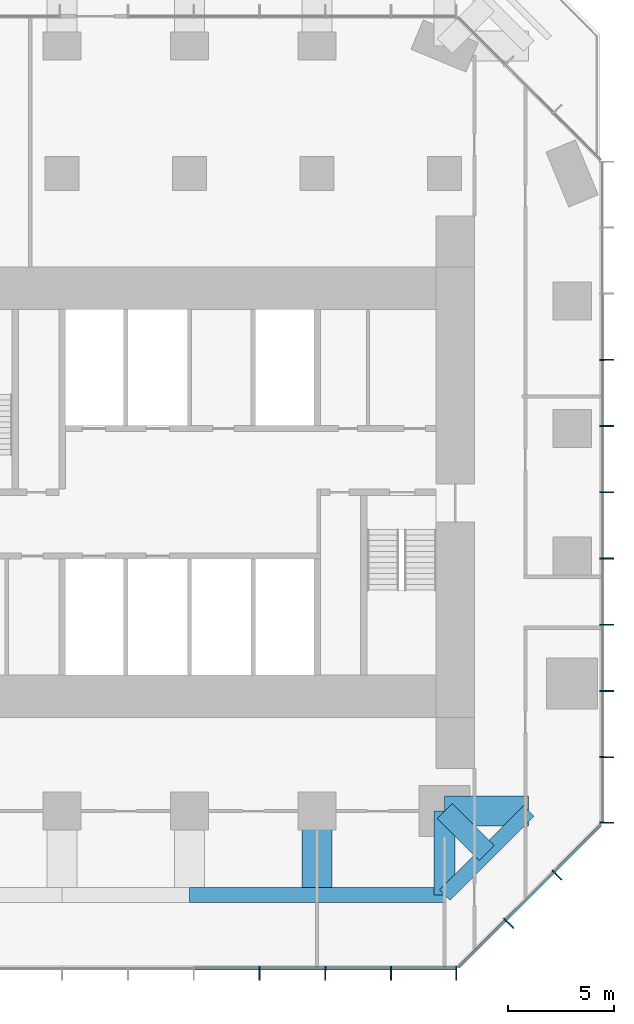
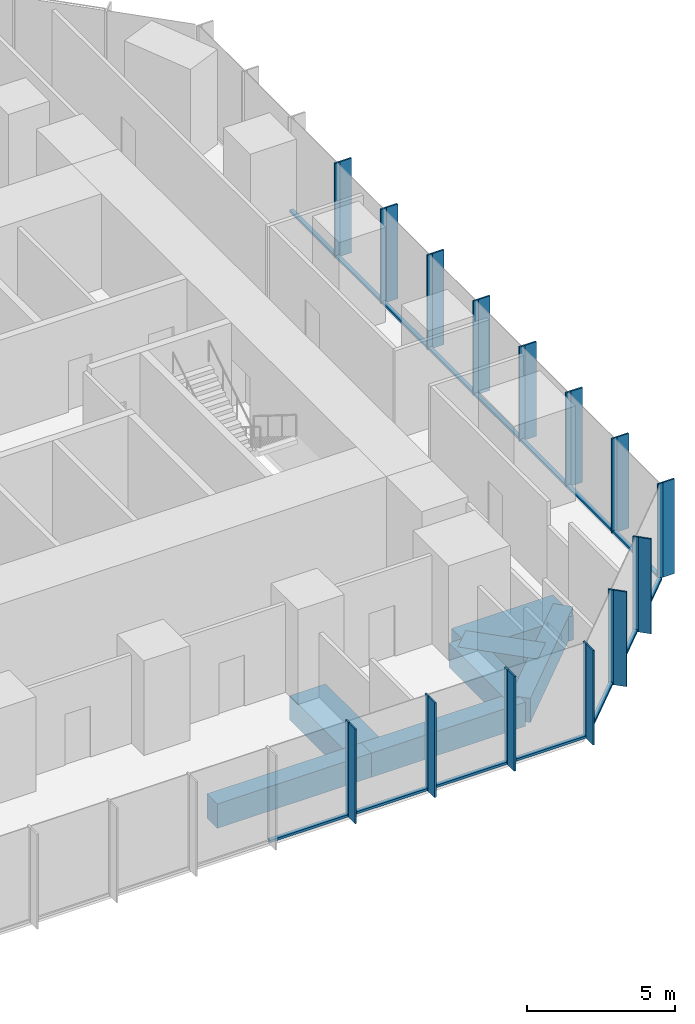
# One storey, part 4 of 11: 43 members, 7 beams, 3 elements without a shape of their own.
"""IFC4 building model written with IfcOpenShell, lengths in metres."""

from ifc_helpers import new_model, si_unit, direction, frame, origin, origin_2d, place, context, subcontext, project, spatial, rectangle, extrude, material, layer, layer_set, material_profile, profile_set, type_object, element, aggregate, save


model = new_model("IFC4")

# Units and contexts
model_context = context("Model", 3, precision=1e-05, world=origin(), true_north=direction((0.0, 1.0)))
body_context = subcontext(model_context, "Body", "Model", "MODEL_VIEW")
ifc_project = project(units=[si_unit("LENGTHUNIT", "METRE"), si_unit("AREAUNIT", "SQUARE_METRE"), si_unit("VOLUMEUNIT", "CUBIC_METRE"), si_unit("PLANEANGLEUNIT", "RADIAN"), si_unit("MASSUNIT", "GRAM", prefix="KILO")], contexts=[model_context])

# Site, building, storey
site_placement = place(None, origin())
site = spatial("IfcSite", under=ifc_project, at=site_placement, CompositionType="ELEMENT")
building_placement = place(site_placement, origin())
building = spatial("IfcBuilding", under=site, at=building_placement, Name="Highveld Stack Headquarters", CompositionType="ELEMENT")
storey_placement = place(building_placement, frame((0.0, 0.0, 117.199951171875)))
storey = spatial("IfcBuildingStorey", under=building, at=storey_placement, Name="L28", CompositionType="ELEMENT", Elevation=117.199951171875)

# Beams
ifc_material_1 = material(Name="Concrete C60/75", Category="concrete")
ifc_material_profile_1 = material_profile(ifc_material_1, rectangle(XDim=1.0, YDim=1.0, at=origin_2d()), Name="RC 1000x1000")
ifc_profile_set_1 = profile_set([ifc_material_profile_1], Name="Concrete C60/75")
beam_type_1 = type_object("IfcBeamType", Name="CANTILEVER RIB RC 1000x1000", PredefinedType="USERDEFINED", material=ifc_profile_set_1)
beam_1_placement = place(storey_placement, frame((18.0, -12.0, -0.75), z_axis=(0.0, -1.0, 0.0), x_axis=(1.0, 0.0, 0.0)))
element("IfcBeam", 1, at=beam_1_placement, inside=storey, type_object=beam_type_1, Name="Cantilever rib 9/C L28", ObjectType="CANTILEVER RIB", PredefinedType="USERDEFINED", context=body_context, shape_type="SweptSolid", body=[
    extrude(rectangle(XDim=1.0, YDim=1.0, at=origin_2d()), origin(), (0.0, 0.0, 1.0), 3.949951171875),
])
beam_2_placement = place(storey_placement, frame((18.0, -12.0, -0.75), z_axis=(0.707106781187, -0.707106781187, 0.0), x_axis=(0.707106781187, 0.707106781187, 0.0)))
element("IfcBeam", 2, at=beam_2_placement, inside=storey, type_object=beam_type_1, Name="Cantilever rib 9/C L28", ObjectType="CANTILEVER RIB", PredefinedType="USERDEFINED", context=body_context, shape_type="SweptSolid", body=[
    extrude(rectangle(XDim=1.0, YDim=1.0, at=origin_2d()), origin(), (0.0, 0.0, 1.0), 2.793212890625),
])
ifc_material_2 = material(Name="Concrete C60/75", Category="concrete")
ifc_material_profile_2 = material_profile(ifc_material_2, rectangle(XDim=1.39990234375, YDim=1.0, at=origin_2d()), Name="RC 1400x1000")
ifc_profile_set_2 = profile_set([ifc_material_profile_2], Name="Concrete C60/75")
beam_type_2 = type_object("IfcBeamType", Name="CANTILEVER RIB RC 1400x1000", PredefinedType="USERDEFINED", material=ifc_profile_set_2)
for number, where, z_axis, x_axis, name in (
    (3, (12.0, -12.0, -0.75), (0.0, -1.0, 0.0), (1.0, 0.0, 0.0), "Cantilever rib 8/C L28"),
    (4, (18.0, -12.0, -0.75), (1.0, 0.0, 0.0), (0.0, 1.0, 0.0), "Cantilever rib 9/C L28"),
):
    element("IfcBeam", number, at=place(storey_placement, frame(where, z_axis=z_axis, x_axis=x_axis)), inside=storey, type_object=beam_type_2, Name=name, ObjectType="CANTILEVER RIB", PredefinedType="USERDEFINED", context=body_context, shape_type="SweptSolid", body=[
        extrude(rectangle(XDim=1.39990234375, YDim=1.0, at=origin_2d()), origin(), (0.0, 0.0, 1.0), 3.949951171875),
    ])

# Curtain wall, members
ifc_material_3 = material(Name="Aluminium bronze anodised", Category="aluminium")
ifc_layer_1 = layer(ifc_material_3, 0.199951171875)
ifc_layer_set_1 = layer_set([ifc_layer_1], Name="Aluminium bronze anodised")
curtain_wall_type_1 = type_object("IfcCurtainWallType", Name="CW1 TOWER UNITISED CURTAIN WALL", PredefinedType="NOTDEFINED", material=ifc_layer_set_1)
curtain_wall_1_placement = place(storey_placement, origin())
curtain_wall_1 = element("IfcCurtainWall", 5, at=curtain_wall_1_placement, inside=storey, type_object=curtain_wall_type_1, Name="Curtain wall CW1 L28 S", PredefinedType="NOTDEFINED")
ifc_material_4 = material(Name="Aluminium bronze anodised", Category="aluminium")
ifc_material_profile_3 = material_profile(ifc_material_4, rectangle(XDim=0.449951171875, YDim=0.06005859375, at=origin_2d()), Name="FIN 450x60")
ifc_profile_set_3 = profile_set([ifc_material_profile_3], Name="Aluminium bronze anodised")
member_type_1 = type_object("IfcMemberType", Name="CW1 BRONZE FIN 450x60", PredefinedType="USERDEFINED", material=ifc_profile_set_3)
member_1_placement = place(storey_placement, frame((9.2900390625, -19.72509765625, 0.0), z_axis=(0.0, 0.0, 1.0), x_axis=(0.0, 1.0, 0.0)))
member_1 = element("IfcMember", 6, at=member_1_placement, type_object=member_type_1, Name="CW1 fin L28 10", ObjectType="FIN", PredefinedType="USERDEFINED", context=body_context, shape_type="SweptSolid", body=[
    extrude(rectangle(XDim=0.449951171875, YDim=0.06005859375, at=origin_2d()), origin(), (0.0, 0.0, 1.0), 3.900146484375),
])
member_2_placement = place(storey_placement, frame((12.38671875, -19.72509765625, 0.0), z_axis=(0.0, 0.0, 1.0), x_axis=(0.0, 1.0, 0.0)))
member_2 = element("IfcMember", 7, at=member_2_placement, type_object=member_type_1, Name="CW1 fin L28 11", ObjectType="FIN", PredefinedType="USERDEFINED", context=body_context, shape_type="SweptSolid", body=[
    extrude(rectangle(XDim=0.449951171875, YDim=0.06005859375, at=origin_2d()), origin(), (0.0, 0.0, 1.0), 3.900146484375),
])
member_3_placement = place(storey_placement, frame((15.4833984375, -19.72509765625, 0.0), z_axis=(0.0, 0.0, 1.0), x_axis=(0.0, 1.0, 0.0)))
member_3 = element("IfcMember", 8, at=member_3_placement, type_object=member_type_1, Name="CW1 fin L28 12", ObjectType="FIN", PredefinedType="USERDEFINED", context=body_context, shape_type="SweptSolid", body=[
    extrude(rectangle(XDim=0.449951171875, YDim=0.06005859375, at=origin_2d()), origin(), (0.0, 0.0, 1.0), 3.900146484375),
])
member_4_placement = place(storey_placement, frame((18.54736328125, -19.72509765625, 0.0), z_axis=(0.0, 0.0, 1.0), x_axis=(0.0, 1.0, 0.0)))
member_4 = element("IfcMember", 9, at=member_4_placement, type_object=member_type_1, Name="CW1 fin L28 13", ObjectType="FIN", PredefinedType="USERDEFINED", context=body_context, shape_type="SweptSolid", body=[
    extrude(rectangle(XDim=0.449951171875, YDim=0.06005859375, at=origin_2d()), origin(), (0.0, 0.0, 1.0), 3.900146484375),
])

curtain_wall_2_placement = place(storey_placement, origin())
curtain_wall_2 = element("IfcCurtainWall", 10, at=curtain_wall_2_placement, inside=storey, type_object=curtain_wall_type_1, Name="Curtain wall CW1 L28 E", PredefinedType="NOTDEFINED")
member_5_placement = place(storey_placement, frame((25.72509765625, -12.54736328125, 0.0), z_axis=(0.0, 0.0, 1.0), x_axis=(-1.0, 0.0, 0.0)))
member_5 = element("IfcMember", 11, at=member_5_placement, type_object=member_type_1, Name="CW1 fin L28 1", ObjectType="FIN", PredefinedType="USERDEFINED", context=body_context, shape_type="SweptSolid", body=[
    extrude(rectangle(XDim=0.449951171875, YDim=0.06005859375, at=origin_2d()), origin(), (0.0, 0.0, 1.0), 3.900146484375),
])
member_6_placement = place(storey_placement, frame((25.72509765625, -9.4638671875, 0.0), z_axis=(0.0, 0.0, 1.0), x_axis=(-1.0, 0.0, 0.0)))
member_6 = element("IfcMember", 12, at=member_6_placement, type_object=member_type_1, Name="CW1 fin L28 2", ObjectType="FIN", PredefinedType="USERDEFINED", context=body_context, shape_type="SweptSolid", body=[
    extrude(rectangle(XDim=0.449951171875, YDim=0.06005859375, at=origin_2d()), origin(), (0.0, 0.0, 1.0), 3.900146484375),
])
member_7_placement = place(storey_placement, frame((25.72509765625, -6.347900390625, 0.0), z_axis=(0.0, 0.0, 1.0), x_axis=(-1.0, 0.0, 0.0)))
member_7 = element("IfcMember", 13, at=member_7_placement, type_object=member_type_1, Name="CW1 fin L28 3", ObjectType="FIN", PredefinedType="USERDEFINED", context=body_context, shape_type="SweptSolid", body=[
    extrude(rectangle(XDim=0.449951171875, YDim=0.06005859375, at=origin_2d()), origin(), (0.0, 0.0, 1.0), 3.900146484375),
])
member_8_placement = place(storey_placement, frame((25.72509765625, -3.23193359375, 0.0), z_axis=(0.0, 0.0, 1.0), x_axis=(-1.0, 0.0, 0.0)))
member_8 = element("IfcMember", 14, at=member_8_placement, type_object=member_type_1, Name="CW1 fin L28 4", ObjectType="FIN", PredefinedType="USERDEFINED", context=body_context, shape_type="SweptSolid", body=[
    extrude(rectangle(XDim=0.449951171875, YDim=0.06005859375, at=origin_2d()), origin(), (0.0, 0.0, 1.0), 3.900146484375),
])
member_9_placement = place(storey_placement, frame((25.72509765625, -0.115966796875, 0.0), z_axis=(0.0, 0.0, 1.0), x_axis=(-1.0, 0.0, 0.0)))
member_9 = element("IfcMember", 15, at=member_9_placement, type_object=member_type_1, Name="CW1 fin L28 5", ObjectType="FIN", PredefinedType="USERDEFINED", context=body_context, shape_type="SweptSolid", body=[
    extrude(rectangle(XDim=0.449951171875, YDim=0.06005859375, at=origin_2d()), origin(), (0.0, 0.0, 1.0), 3.900146484375),
])
member_10_placement = place(storey_placement, frame((25.72509765625, 3.0, 0.0), z_axis=(0.0, 0.0, 1.0), x_axis=(-1.0, 0.0, 0.0)))
member_10 = element("IfcMember", 16, at=member_10_placement, type_object=member_type_1, Name="CW1 fin L28 6", ObjectType="FIN", PredefinedType="USERDEFINED", context=body_context, shape_type="SweptSolid", body=[
    extrude(rectangle(XDim=0.449951171875, YDim=0.06005859375, at=origin_2d()), origin(), (0.0, 0.0, 1.0), 3.900146484375),
])
member_11_placement = place(storey_placement, frame((25.72509765625, 6.115966796875, 0.0), z_axis=(0.0, 0.0, 1.0), x_axis=(-1.0, 0.0, 0.0)))
member_11 = element("IfcMember", 17, at=member_11_placement, type_object=member_type_1, Name="CW1 fin L28 7", ObjectType="FIN", PredefinedType="USERDEFINED", context=body_context, shape_type="SweptSolid", body=[
    extrude(rectangle(XDim=0.449951171875, YDim=0.06005859375, at=origin_2d()), origin(), (0.0, 0.0, 1.0), 3.900146484375),
])
member_12_placement = place(storey_placement, frame((25.72509765625, 9.23193359375, 0.0), z_axis=(0.0, 0.0, 1.0), x_axis=(-1.0, 0.0, 0.0)))
member_12 = element("IfcMember", 18, at=member_12_placement, type_object=member_type_1, Name="CW1 fin L28 8", ObjectType="FIN", PredefinedType="USERDEFINED", context=body_context, shape_type="SweptSolid", body=[
    extrude(rectangle(XDim=0.449951171875, YDim=0.06005859375, at=origin_2d()), origin(), (0.0, 0.0, 1.0), 3.900146484375),
])

# Member
ifc_material_5 = material(Name="Aluminium bronze anodised", Category="aluminium")
ifc_material_profile_4 = material_profile(ifc_material_5, rectangle(XDim=0.199951171875, YDim=0.06494140625, at=origin_2d()), Name="CW1 MULLION 65x200")
ifc_profile_set_4 = profile_set([ifc_material_profile_4], Name="Aluminium bronze anodised")
member_type_2 = type_object("IfcMemberType", Name="CW1 MULLION 65x200", PredefinedType="MULLION", material=ifc_profile_set_4)
member_13_placement = place(storey_placement, frame((9.2900390625, -19.39990234375, 0.0), z_axis=(0.0, 0.0, 1.0), x_axis=(0.0, 1.0, 0.0)))
member_13 = element("IfcMember", 19, at=member_13_placement, type_object=member_type_2, Name="CW1 mullion L28 10", PredefinedType="MULLION", context=body_context, shape_type="SweptSolid", body=[
    extrude(rectangle(XDim=0.199951171875, YDim=0.06494140625, at=origin_2d()), origin(), (0.0, 0.0, 1.0), 3.900146484375),
])

member_14_placement = place(storey_placement, frame((12.38671875, -19.39990234375, 0.0), z_axis=(0.0, 0.0, 1.0), x_axis=(0.0, 1.0, 0.0)))
member_14 = element("IfcMember", 20, at=member_14_placement, type_object=member_type_2, Name="CW1 mullion L28 11", PredefinedType="MULLION", context=body_context, shape_type="SweptSolid", body=[
    extrude(rectangle(XDim=0.199951171875, YDim=0.06494140625, at=origin_2d()), origin(), (0.0, 0.0, 1.0), 3.900146484375),
])

member_15_placement = place(storey_placement, frame((15.4833984375, -19.39990234375, 0.0), z_axis=(0.0, 0.0, 1.0), x_axis=(0.0, 1.0, 0.0)))
member_15 = element("IfcMember", 21, at=member_15_placement, type_object=member_type_2, Name="CW1 mullion L28 12", PredefinedType="MULLION", context=body_context, shape_type="SweptSolid", body=[
    extrude(rectangle(XDim=0.199951171875, YDim=0.06494140625, at=origin_2d()), origin(), (0.0, 0.0, 1.0), 3.900146484375),
])

member_16_placement = place(storey_placement, frame((18.54736328125, -19.39990234375, 0.0), z_axis=(0.0, 0.0, 1.0), x_axis=(0.0, 1.0, 0.0)))
member_16 = element("IfcMember", 22, at=member_16_placement, type_object=member_type_2, Name="CW1 mullion L28 13", PredefinedType="MULLION", context=body_context, shape_type="SweptSolid", body=[
    extrude(rectangle(XDim=0.199951171875, YDim=0.06494140625, at=origin_2d()), origin(), (0.0, 0.0, 1.0), 3.900146484375),
])

member_17_placement = place(storey_placement, frame((25.39990234375, -12.54736328125, 0.0), z_axis=(0.0, 0.0, 1.0), x_axis=(-1.0, 0.0, 0.0)))
member_17 = element("IfcMember", 23, at=member_17_placement, type_object=member_type_2, Name="CW1 mullion L28 1", PredefinedType="MULLION", context=body_context, shape_type="SweptSolid", body=[
    extrude(rectangle(XDim=0.199951171875, YDim=0.06494140625, at=origin_2d()), origin(), (0.0, 0.0, 1.0), 3.900146484375),
])

member_18_placement = place(storey_placement, frame((25.39990234375, -9.4638671875, 0.0), z_axis=(0.0, 0.0, 1.0), x_axis=(-1.0, 0.0, 0.0)))
member_18 = element("IfcMember", 24, at=member_18_placement, type_object=member_type_2, Name="CW1 mullion L28 2", PredefinedType="MULLION", context=body_context, shape_type="SweptSolid", body=[
    extrude(rectangle(XDim=0.199951171875, YDim=0.06494140625, at=origin_2d()), origin(), (0.0, 0.0, 1.0), 3.900146484375),
])

member_19_placement = place(storey_placement, frame((25.39990234375, -6.347900390625, 0.0), z_axis=(0.0, 0.0, 1.0), x_axis=(-1.0, 0.0, 0.0)))
member_19 = element("IfcMember", 25, at=member_19_placement, type_object=member_type_2, Name="CW1 mullion L28 3", PredefinedType="MULLION", context=body_context, shape_type="SweptSolid", body=[
    extrude(rectangle(XDim=0.199951171875, YDim=0.06494140625, at=origin_2d()), origin(), (0.0, 0.0, 1.0), 3.900146484375),
])

member_20_placement = place(storey_placement, frame((25.39990234375, -3.23193359375, 0.0), z_axis=(0.0, 0.0, 1.0), x_axis=(-1.0, 0.0, 0.0)))
member_20 = element("IfcMember", 26, at=member_20_placement, type_object=member_type_2, Name="CW1 mullion L28 4", PredefinedType="MULLION", context=body_context, shape_type="SweptSolid", body=[
    extrude(rectangle(XDim=0.199951171875, YDim=0.06494140625, at=origin_2d()), origin(), (0.0, 0.0, 1.0), 3.900146484375),
])

member_21_placement = place(storey_placement, frame((25.39990234375, -0.115966796875, 0.0), z_axis=(0.0, 0.0, 1.0), x_axis=(-1.0, 0.0, 0.0)))
member_21 = element("IfcMember", 27, at=member_21_placement, type_object=member_type_2, Name="CW1 mullion L28 5", PredefinedType="MULLION", context=body_context, shape_type="SweptSolid", body=[
    extrude(rectangle(XDim=0.199951171875, YDim=0.06494140625, at=origin_2d()), origin(), (0.0, 0.0, 1.0), 3.900146484375),
])

member_22_placement = place(storey_placement, frame((25.39990234375, 3.0, 0.0), z_axis=(0.0, 0.0, 1.0), x_axis=(-1.0, 0.0, 0.0)))
member_22 = element("IfcMember", 28, at=member_22_placement, type_object=member_type_2, Name="CW1 mullion L28 6", PredefinedType="MULLION", context=body_context, shape_type="SweptSolid", body=[
    extrude(rectangle(XDim=0.199951171875, YDim=0.06494140625, at=origin_2d()), origin(), (0.0, 0.0, 1.0), 3.900146484375),
])

member_23_placement = place(storey_placement, frame((25.39990234375, 6.115966796875, 0.0), z_axis=(0.0, 0.0, 1.0), x_axis=(-1.0, 0.0, 0.0)))
member_23 = element("IfcMember", 29, at=member_23_placement, type_object=member_type_2, Name="CW1 mullion L28 7", PredefinedType="MULLION", context=body_context, shape_type="SweptSolid", body=[
    extrude(rectangle(XDim=0.199951171875, YDim=0.06494140625, at=origin_2d()), origin(), (0.0, 0.0, 1.0), 3.900146484375),
])

member_24_placement = place(storey_placement, frame((25.39990234375, 9.23193359375, 0.0), z_axis=(0.0, 0.0, 1.0), x_axis=(-1.0, 0.0, 0.0)))
member_24 = element("IfcMember", 30, at=member_24_placement, type_object=member_type_2, Name="CW1 mullion L28 8", PredefinedType="MULLION", context=body_context, shape_type="SweptSolid", body=[
    extrude(rectangle(XDim=0.199951171875, YDim=0.06494140625, at=origin_2d()), origin(), (0.0, 0.0, 1.0), 3.900146484375),
])

ifc_material_6 = material(Name="Aluminium bronze anodised", Category="aluminium")
ifc_material_profile_5 = material_profile(ifc_material_6, rectangle(XDim=0.14990234375, YDim=0.10009765625, at=origin_2d()), Name="CW1 TRANSOM 150x100")
ifc_profile_set_5 = profile_set([ifc_material_profile_5], Name="Aluminium bronze anodised")
member_type_3 = type_object("IfcMemberType", Name="CW1 STACK TRANSOM 150x100", PredefinedType="USERDEFINED", material=ifc_profile_set_5)
member_25_placement = place(storey_placement, frame((6.225830078125, -19.39990234375, 0.050048828125), z_axis=(1.0, 0.0, 0.0), x_axis=(0.0, 1.0, 0.0)))
member_25 = element("IfcMember", 31, at=member_25_placement, type_object=member_type_3, Name="CW1 transom L28 9.1", ObjectType="TRANSOM", PredefinedType="USERDEFINED", context=body_context, shape_type="SweptSolid", body=[
    extrude(rectangle(XDim=0.14990234375, YDim=0.10009765625, at=origin_2d()), origin(), (0.0, 0.0, 1.0), 3.03173828125),
])

member_26_placement = place(storey_placement, frame((9.322509765625, -19.39990234375, 0.050048828125), z_axis=(1.0, 0.0, 0.0), x_axis=(0.0, 1.0, 0.0)))
member_26 = element("IfcMember", 32, at=member_26_placement, type_object=member_type_3, Name="CW1 transom L28 10.1", ObjectType="TRANSOM", PredefinedType="USERDEFINED", context=body_context, shape_type="SweptSolid", body=[
    extrude(rectangle(XDim=0.14990234375, YDim=0.10009765625, at=origin_2d()), origin(), (0.0, 0.0, 1.0), 3.031494140625),
])

member_27_placement = place(storey_placement, frame((12.419189453125, -19.39990234375, 0.050048828125), z_axis=(1.0, 0.0, 0.0), x_axis=(0.0, 1.0, 0.0)))
member_27 = element("IfcMember", 33, at=member_27_placement, type_object=member_type_3, Name="CW1 transom L28 11.1", ObjectType="TRANSOM", PredefinedType="USERDEFINED", context=body_context, shape_type="SweptSolid", body=[
    extrude(rectangle(XDim=0.14990234375, YDim=0.10009765625, at=origin_2d()), origin(), (0.0, 0.0, 1.0), 3.031494140625),
])

member_28_placement = place(storey_placement, frame((15.515869140625, -19.39990234375, 0.050048828125), z_axis=(1.0, 0.0, 0.0), x_axis=(0.0, 1.0, 0.0)))
member_28 = element("IfcMember", 34, at=member_28_placement, type_object=member_type_3, Name="CW1 transom L28 12.1", ObjectType="TRANSOM", PredefinedType="USERDEFINED", context=body_context, shape_type="SweptSolid", body=[
    extrude(rectangle(XDim=0.14990234375, YDim=0.10009765625, at=origin_2d()), origin(), (0.0, 0.0, 1.0), 2.9990234375),
])

aggregate(curtain_wall_1, [member_13, member_1, member_14, member_2, member_15, member_3, member_16, member_4, member_25, member_26, member_27, member_28])

member_29_placement = place(storey_placement, frame((25.39990234375, -12.514892578125, 0.050048828125), z_axis=(0.0, 1.0, 0.0), x_axis=(-1.0, 0.0, 0.0)))
member_29 = element("IfcMember", 35, at=member_29_placement, type_object=member_type_3, Name="CW1 transom L28 1.1", ObjectType="TRANSOM", PredefinedType="USERDEFINED", context=body_context, shape_type="SweptSolid", body=[
    extrude(rectangle(XDim=0.14990234375, YDim=0.10009765625, at=origin_2d()), origin(), (0.0, 0.0, 1.0), 3.0185546875),
])

member_30_placement = place(storey_placement, frame((25.39990234375, -9.431396484375, 0.050048828125), z_axis=(0.0, 1.0, 0.0), x_axis=(-1.0, 0.0, 0.0)))
member_30 = element("IfcMember", 36, at=member_30_placement, type_object=member_type_3, Name="CW1 transom L28 2.1", ObjectType="TRANSOM", PredefinedType="USERDEFINED", context=body_context, shape_type="SweptSolid", body=[
    extrude(rectangle(XDim=0.14990234375, YDim=0.10009765625, at=origin_2d()), origin(), (0.0, 0.0, 1.0), 3.051025390625),
])

member_31_placement = place(storey_placement, frame((25.39990234375, -6.3154296875, 0.050048828125), z_axis=(0.0, 1.0, 0.0), x_axis=(-1.0, 0.0, 0.0)))
member_31 = element("IfcMember", 37, at=member_31_placement, type_object=member_type_3, Name="CW1 transom L28 3.1", ObjectType="TRANSOM", PredefinedType="USERDEFINED", context=body_context, shape_type="SweptSolid", body=[
    extrude(rectangle(XDim=0.14990234375, YDim=0.10009765625, at=origin_2d()), origin(), (0.0, 0.0, 1.0), 3.051025390625),
])

member_32_placement = place(storey_placement, frame((25.39990234375, -3.199462890625, 0.050048828125), z_axis=(0.0, 1.0, 0.0), x_axis=(-1.0, 0.0, 0.0)))
member_32 = element("IfcMember", 38, at=member_32_placement, type_object=member_type_3, Name="CW1 transom L28 4.1", ObjectType="TRANSOM", PredefinedType="USERDEFINED", context=body_context, shape_type="SweptSolid", body=[
    extrude(rectangle(XDim=0.14990234375, YDim=0.10009765625, at=origin_2d()), origin(), (0.0, 0.0, 1.0), 3.051025390625),
])

member_33_placement = place(storey_placement, frame((25.39990234375, -0.08349609375, 0.050048828125), z_axis=(0.0, 1.0, 0.0), x_axis=(-1.0, 0.0, 0.0)))
member_33 = element("IfcMember", 39, at=member_33_placement, type_object=member_type_3, Name="CW1 transom L28 5.1", ObjectType="TRANSOM", PredefinedType="USERDEFINED", context=body_context, shape_type="SweptSolid", body=[
    extrude(rectangle(XDim=0.14990234375, YDim=0.10009765625, at=origin_2d()), origin(), (0.0, 0.0, 1.0), 3.051025390625),
])

member_34_placement = place(storey_placement, frame((25.39990234375, 3.032470703125, 0.050048828125), z_axis=(0.0, 1.0, 0.0), x_axis=(-1.0, 0.0, 0.0)))
member_34 = element("IfcMember", 40, at=member_34_placement, type_object=member_type_3, Name="CW1 transom L28 6.1", ObjectType="TRANSOM", PredefinedType="USERDEFINED", context=body_context, shape_type="SweptSolid", body=[
    extrude(rectangle(XDim=0.14990234375, YDim=0.10009765625, at=origin_2d()), origin(), (0.0, 0.0, 1.0), 3.051025390625),
])

member_35_placement = place(storey_placement, frame((25.39990234375, 6.1484375, 0.050048828125), z_axis=(0.0, 1.0, 0.0), x_axis=(-1.0, 0.0, 0.0)))
member_35 = element("IfcMember", 41, at=member_35_placement, type_object=member_type_3, Name="CW1 transom L28 7.1", ObjectType="TRANSOM", PredefinedType="USERDEFINED", context=body_context, shape_type="SweptSolid", body=[
    extrude(rectangle(XDim=0.14990234375, YDim=0.10009765625, at=origin_2d()), origin(), (0.0, 0.0, 1.0), 3.051025390625),
])

member_36_placement = place(storey_placement, frame((25.39990234375, 9.264404296875, 0.050048828125), z_axis=(0.0, 1.0, 0.0), x_axis=(-1.0, 0.0, 0.0)))
member_36 = element("IfcMember", 42, at=member_36_placement, type_object=member_type_3, Name="CW1 transom L28 8.1", ObjectType="TRANSOM", PredefinedType="USERDEFINED", context=body_context, shape_type="SweptSolid", body=[
    extrude(rectangle(XDim=0.14990234375, YDim=0.10009765625, at=origin_2d()), origin(), (0.0, 0.0, 1.0), 3.051025390625),
])

aggregate(curtain_wall_2, [member_17, member_5, member_18, member_6, member_19, member_7, member_20, member_8, member_21, member_9, member_22, member_10, member_23, member_11, member_24, member_12, member_29, member_30, member_31, member_32, member_33, member_34, member_35, member_36])

# Curtain wall, members
ifc_material_7 = material(Name="Aluminium bronze anodised", Category="aluminium")
ifc_layer_2 = layer(ifc_material_7, 0.199951171875)
ifc_layer_set_2 = layer_set([ifc_layer_2], Name="Aluminium bronze anodised")
curtain_wall_type_2 = type_object("IfcCurtainWallType", Name="CW2 TOWER CHAMFER UNITISED CURTAIN WALL", PredefinedType="NOTDEFINED", material=ifc_layer_set_2)
curtain_wall_3_placement = place(storey_placement, origin())
curtain_wall_3 = element("IfcCurtainWall", 43, at=curtain_wall_3_placement, inside=storey, type_object=curtain_wall_type_2, Name="Curtain wall CW2 L28 SE", PredefinedType="NOTDEFINED")
ifc_material_8 = material(Name="Aluminium bronze anodised", Category="aluminium")
ifc_material_profile_6 = material_profile(ifc_material_8, rectangle(XDim=0.449951171875, YDim=0.06005859375, at=origin_2d()), Name="FIN 450x60")
ifc_profile_set_6 = profile_set([ifc_material_profile_6], Name="Aluminium bronze anodised")
member_type_4 = type_object("IfcMemberType", Name="CW2 BRONZE FIN 450x60", PredefinedType="USERDEFINED", material=ifc_profile_set_6)
member_37_placement = place(storey_placement, frame((21.0830078125, -17.3564453125, 0.0), z_axis=(0.0, 0.0, 1.0), x_axis=(-0.707106781187, 0.707106781187, 0.0)))
member_37 = element("IfcMember", 44, at=member_37_placement, type_object=member_type_4, Name="CW2 fin L28 1", ObjectType="FIN", PredefinedType="USERDEFINED", context=body_context, shape_type="SweptSolid", body=[
    extrude(rectangle(XDim=0.449951171875, YDim=0.06005859375, at=origin_2d()), origin(), (0.0, 0.0, 1.0), 3.900146484375),
])
member_38_placement = place(storey_placement, frame((23.3564453125, -15.0830078125, 0.0), z_axis=(0.0, 0.0, 1.0), x_axis=(-0.707106781187, 0.707106781187, 0.0)))
member_38 = element("IfcMember", 45, at=member_38_placement, type_object=member_type_4, Name="CW2 fin L28 2", ObjectType="FIN", PredefinedType="USERDEFINED", context=body_context, shape_type="SweptSolid", body=[
    extrude(rectangle(XDim=0.449951171875, YDim=0.06005859375, at=origin_2d()), origin(), (0.0, 0.0, 1.0), 3.900146484375),
])
ifc_material_9 = material(Name="Aluminium bronze anodised", Category="aluminium")
ifc_material_profile_7 = material_profile(ifc_material_9, rectangle(XDim=0.199951171875, YDim=0.06494140625, at=origin_2d()), Name="CW2 MULLION 65x200")
ifc_profile_set_7 = profile_set([ifc_material_profile_7], Name="Aluminium bronze anodised")
member_type_5 = type_object("IfcMemberType", Name="CW2 MULLION 65x200", PredefinedType="MULLION", material=ifc_profile_set_7)
member_39_placement = place(storey_placement, frame((20.853271484375, -17.126708984375, 0.0), z_axis=(0.0, 0.0, 1.0), x_axis=(-0.707106781187, 0.707106781187, 0.0)))
member_39 = element("IfcMember", 46, at=member_39_placement, type_object=member_type_5, Name="CW2 mullion L28 1", PredefinedType="MULLION", context=body_context, shape_type="SweptSolid", body=[
    extrude(rectangle(XDim=0.199951171875, YDim=0.06494140625, at=origin_2d()), origin(), (0.0, 0.0, 1.0), 3.900146484375),
])
member_40_placement = place(storey_placement, frame((23.126708984375, -14.853271484375, 0.0), z_axis=(0.0, 0.0, 1.0), x_axis=(-0.707106781187, 0.707106781187, 0.0)))
member_40 = element("IfcMember", 47, at=member_40_placement, type_object=member_type_5, Name="CW2 mullion L28 2", PredefinedType="MULLION", context=body_context, shape_type="SweptSolid", body=[
    extrude(rectangle(XDim=0.199951171875, YDim=0.06494140625, at=origin_2d()), origin(), (0.0, 0.0, 1.0), 3.900146484375),
])
ifc_material_10 = material(Name="Aluminium bronze anodised", Category="aluminium")
ifc_material_profile_8 = material_profile(ifc_material_10, rectangle(XDim=0.14990234375, YDim=0.10009765625, at=origin_2d()), Name="CW2 TRANSOM 150x100")
ifc_profile_set_8 = profile_set([ifc_material_profile_8], Name="Aluminium bronze anodised")
member_type_6 = type_object("IfcMemberType", Name="CW2 STACK TRANSOM 150x100", PredefinedType="USERDEFINED", material=ifc_profile_set_8)
member_41_placement = place(storey_placement, frame((18.650634765625, -19.329345703125, 0.050048828125), z_axis=(0.707106781187, 0.707106781187, 0.0), x_axis=(-0.707106781187, 0.707106781187, 0.0)))
member_41 = element("IfcMember", 48, at=member_41_placement, type_object=member_type_6, Name="CW2 transom L28 1.1", ObjectType="TRANSOM", PredefinedType="USERDEFINED", context=body_context, shape_type="SweptSolid", body=[
    extrude(rectangle(XDim=0.14990234375, YDim=0.10009765625, at=origin_2d()), origin(), (0.0, 0.0, 1.0), 3.08251953125),
])
member_42_placement = place(storey_placement, frame((20.876220703125, -17.103759765625, 0.050048828125), z_axis=(0.707106781187, 0.707106781187, 0.0), x_axis=(-0.707106781187, 0.707106781187, 0.0)))
member_42 = element("IfcMember", 49, at=member_42_placement, type_object=member_type_6, Name="CW2 transom L28 2.1", ObjectType="TRANSOM", PredefinedType="USERDEFINED", context=body_context, shape_type="SweptSolid", body=[
    extrude(rectangle(XDim=0.14990234375, YDim=0.10009765625, at=origin_2d()), origin(), (0.0, 0.0, 1.0), 3.150146484375),
])
member_43_placement = place(storey_placement, frame((23.149658203125, -14.830322265625, 0.050048828125), z_axis=(0.707106781187, 0.707106781187, 0.0), x_axis=(-0.707106781187, 0.707106781187, 0.0)))
member_43 = element("IfcMember", 50, at=member_43_placement, type_object=member_type_6, Name="CW2 transom L28 3.1", ObjectType="TRANSOM", PredefinedType="USERDEFINED", context=body_context, shape_type="SweptSolid", body=[
    extrude(rectangle(XDim=0.14990234375, YDim=0.10009765625, at=origin_2d()), origin(), (0.0, 0.0, 1.0), 3.08251953125),
])
aggregate(curtain_wall_3, [member_39, member_37, member_40, member_38, member_41, member_42, member_43])

# Beams
ifc_material_11 = material(Name="Concrete C60/75", Category="concrete")
ifc_material_profile_9 = material_profile(ifc_material_11, rectangle(XDim=0.699951171875, YDim=1.0, at=origin_2d()), Name="RC 700x1000")
ifc_profile_set_9 = profile_set([ifc_material_profile_9], Name="Concrete C60/75")
beam_type_3 = type_object("IfcBeamType", Name="RIB TIP BEAM RC 700x1000", PredefinedType="SPANDREL", material=ifc_profile_set_9)
for number, where, z_axis, x_axis, name in (
    (51, (6.0, -15.949951171875, -0.75), (1.0, 0.0, 0.0), (0.0, 1.0, 0.0), "Rib tip beam 7/C to 8/C L28"),
    (52, (12.0, -15.949951171875, -0.75), (1.0, 0.0, 0.0), (0.0, 1.0, 0.0), "Rib tip beam 8/C to 9/C L28"),
):
    element("IfcBeam", number, at=place(storey_placement, frame(where, z_axis=z_axis, x_axis=x_axis)), inside=storey, type_object=beam_type_3, Name=name, PredefinedType="SPANDREL", context=body_context, shape_type="SweptSolid", body=[
        extrude(rectangle(XDim=0.699951171875, YDim=1.0, at=origin_2d()), origin(), (0.0, 0.0, 1.0), 6.0),
    ])
beam_3_placement = place(storey_placement, frame((21.949951171875, -12.0, -0.75), z_axis=(-0.707106781187, -0.707106781187, 0.0), x_axis=(0.707106781187, -0.707106781187, 0.0)))
element("IfcBeam", 53, at=beam_3_placement, inside=storey, type_object=beam_type_3, Name="Rib tip beam 9/C corner L28", PredefinedType="SPANDREL", context=body_context, shape_type="SweptSolid", body=[
    extrude(rectangle(XDim=0.699951171875, YDim=1.0, at=origin_2d()), origin(), (0.0, 0.0, 1.0), 5.586181640625),
])

save(model, "model.ifc")
